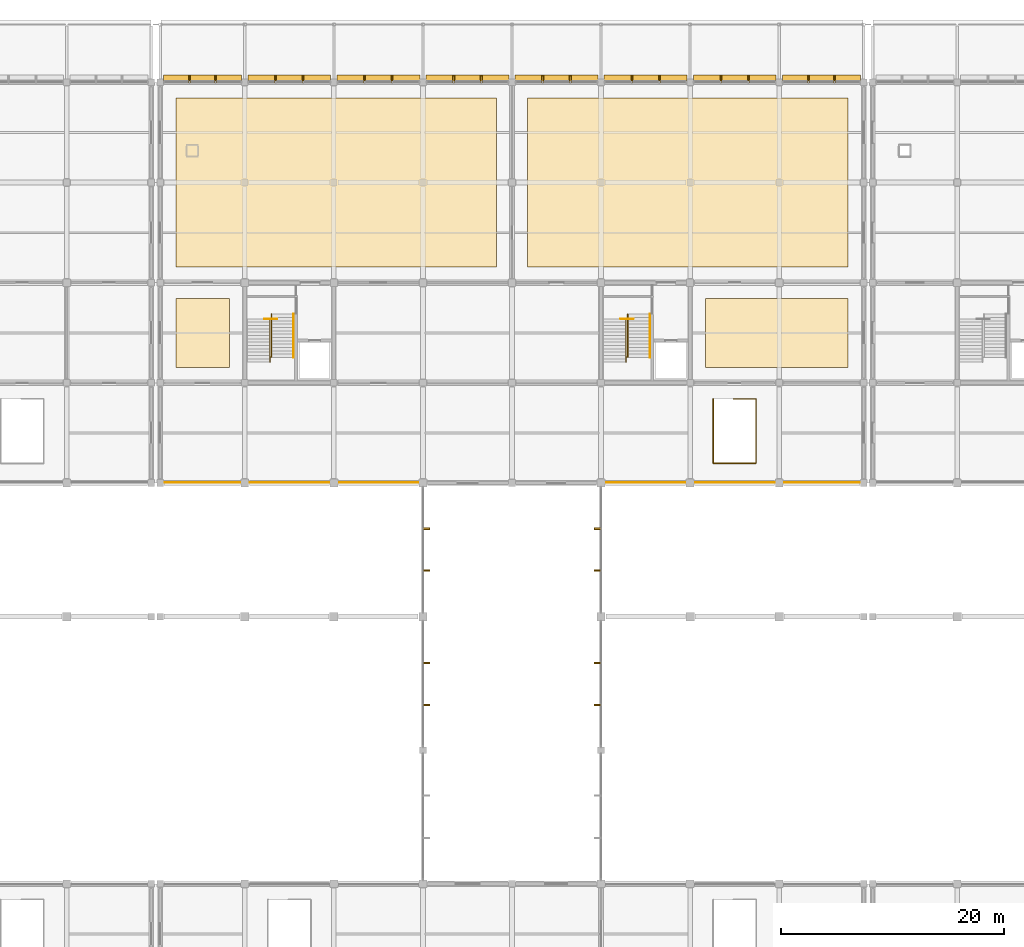
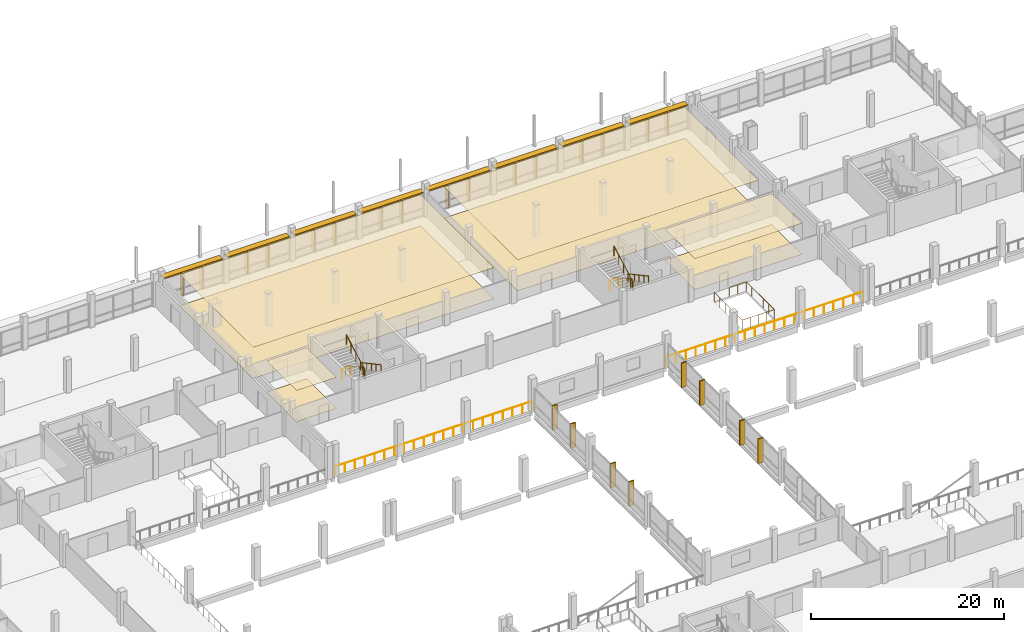
# One storey, part 55 of 57: 32 shading devices, 9 railings, 8 coverings.
"""IFC4 building model written with IfcOpenShell, lengths in metres."""

from ifc_helpers import new_model, si_unit, direction, frame, origin, origin_2d, place, context, subcontext, project, spatial, polyline, rectangle, circle, outline, extrude, material, layer, layer_set, type_object, element, save


model = new_model("IFC4")

# Units and contexts
model_context = context("Model", 3, precision=1e-05, world=origin(), true_north=direction((0.0, 1.0)))
body_context = subcontext(model_context, "Body", "Model", "MODEL_VIEW")
ifc_project = project(units=[si_unit("LENGTHUNIT", "METRE"), si_unit("AREAUNIT", "SQUARE_METRE"), si_unit("VOLUMEUNIT", "CUBIC_METRE"), si_unit("PLANEANGLEUNIT", "RADIAN"), si_unit("MASSUNIT", "GRAM", prefix="KILO"), si_unit("THERMODYNAMICTEMPERATUREUNIT", "KELVIN"), si_unit("POWERUNIT", "WATT")], contexts=[model_context])

# Site, building, storey
site_placement = place(None, origin())
site = spatial("IfcSite", under=ifc_project, at=site_placement, CompositionType="ELEMENT")
building_placement = place(site_placement, origin())
building = spatial("IfcBuilding", under=site, at=building_placement, Name="Kronsvod Quay Wholesale Market", CompositionType="ELEMENT")
storey_placement = place(building_placement, frame((0.0, 0.0, 4.800048828125)))
storey = spatial("IfcBuildingStorey", under=building, at=storey_placement, Name="L01", CompositionType="ELEMENT", Elevation=4.800048828125)

# Coverings
ifc_material_1 = material(Name="Moisture-resistant gypsum board ceiling")
ifc_layer_1 = layer(ifc_material_1, 0.02490234375)
ifc_layer_set_1 = layer_set([ifc_layer_1], Name="Moisture-resistant gypsum board ceiling")
covering_type_1 = type_object("IfcCoveringType", Name="Cov_Ceil03", PredefinedType="CEILING", material=ifc_layer_set_1)
covering_1_placement = place(storey_placement, frame((0.0, 0.0, 3.925048828125)))
element("IfcCovering", 1, at=covering_1_placement, inside=storey, type_object=covering_type_1, Name="CLG-SP-L01-V5-07", PredefinedType="CEILING", context=body_context, shape_type="SweptSolid", body=[
    extrude(outline(polyline([(65.800048828125, 100.39990234375), (70.60009765625, 100.39990234375), (70.60009765625, 106.60009765625), (65.800048828125, 106.60009765625), (65.800048828125, 100.39990234375)])), origin(), (0.0, 0.0, 1.0), 0.02490234375),
])
covering_2_placement = place(storey_placement, frame((0.0, 0.0, 3.925048828125)))
element("IfcCovering", 2, at=covering_2_placement, inside=storey, type_object=covering_type_1, Name="CLG-SP-L01-V5-09", PredefinedType="CEILING", context=body_context, shape_type="SweptSolid", body=[
    extrude(outline(polyline([(113.39990234375, 100.39990234375), (126.199951171875, 100.39990234375), (126.199951171875, 106.60009765625), (113.39990234375, 106.60009765625), (113.39990234375, 100.39990234375)])), origin(), (0.0, 0.0, 1.0), 0.02490234375),
])
covering_3_placement = place(storey_placement, frame((0.0, 0.0, 3.925048828125)))
element("IfcCovering", 3, at=covering_3_placement, inside=storey, type_object=covering_type_1, Name="CLG-SP-L01-V5-13", PredefinedType="CEILING", context=body_context, shape_type="SweptSolid", body=[
    extrude(outline(polyline([(65.800048828125, 109.39990234375), (94.60009765625, 109.39990234375), (94.60009765625, 124.60009765625), (65.800048828125, 124.60009765625), (65.800048828125, 109.39990234375)])), origin(), (0.0, 0.0, 1.0), 0.02490234375),
])
covering_4_placement = place(storey_placement, frame((0.0, 0.0, 3.925048828125)))
element("IfcCovering", 4, at=covering_4_placement, inside=storey, type_object=covering_type_1, Name="CLG-SP-L01-V5-14", PredefinedType="CEILING", context=body_context, shape_type="SweptSolid", body=[
    extrude(outline(polyline([(97.39990234375, 109.39990234375), (126.199951171875, 109.39990234375), (126.199951171875, 124.60009765625), (97.39990234375, 124.60009765625), (97.39990234375, 109.39990234375)])), origin(), (0.0, 0.0, 1.0), 0.02490234375),
])
ifc_material_2 = material(Name="Heavy-duty polyurethane resin market screed")
ifc_layer_2 = layer(ifc_material_2, 0.02001953125)
ifc_layer_set_2 = layer_set([ifc_layer_2], Name="Heavy-duty polyurethane resin market screed")
covering_type_2 = type_object("IfcCoveringType", Name="Cov_Floor01", PredefinedType="FLOORING", material=ifc_layer_set_2)
covering_5_placement = place(storey_placement, origin())
element("IfcCovering", 5, at=covering_5_placement, inside=storey, type_object=covering_type_2, Name="FLR-SP-L01-V5-07", PredefinedType="FLOORING", context=body_context, shape_type="SweptSolid", body=[
    extrude(outline(polyline([(65.800048828125, 100.39990234375), (70.60009765625, 100.39990234375), (70.60009765625, 106.60009765625), (65.800048828125, 106.60009765625), (65.800048828125, 100.39990234375)])), origin(), (0.0, 0.0, 1.0), 0.02001953125),
])
covering_6_placement = place(storey_placement, origin())
element("IfcCovering", 6, at=covering_6_placement, inside=storey, type_object=covering_type_2, Name="FLR-SP-L01-V5-09", PredefinedType="FLOORING", context=body_context, shape_type="SweptSolid", body=[
    extrude(outline(polyline([(113.39990234375, 100.39990234375), (126.199951171875, 100.39990234375), (126.199951171875, 106.60009765625), (113.39990234375, 106.60009765625), (113.39990234375, 100.39990234375)])), origin(), (0.0, 0.0, 1.0), 0.02001953125),
])
covering_7_placement = place(storey_placement, origin())
element("IfcCovering", 7, at=covering_7_placement, inside=storey, type_object=covering_type_2, Name="FLR-SP-L01-V5-13", PredefinedType="FLOORING", context=body_context, shape_type="SweptSolid", body=[
    extrude(outline(polyline([(65.800048828125, 109.39990234375), (94.60009765625, 109.39990234375), (94.60009765625, 124.60009765625), (65.800048828125, 124.60009765625), (65.800048828125, 109.39990234375)])), origin(), (0.0, 0.0, 1.0), 0.02001953125),
])
covering_8_placement = place(storey_placement, origin())
element("IfcCovering", 8, at=covering_8_placement, inside=storey, type_object=covering_type_2, Name="FLR-SP-L01-V5-14", PredefinedType="FLOORING", context=body_context, shape_type="SweptSolid", body=[
    extrude(outline(polyline([(97.39990234375, 109.39990234375), (126.199951171875, 109.39990234375), (126.199951171875, 124.60009765625), (97.39990234375, 124.60009765625), (97.39990234375, 109.39990234375)])), origin(), (0.0, 0.0, 1.0), 0.02001953125),
])

# Railings
ifc_material_3 = material(Name="Stainless steel and laminated glass", Category="steel")
railing_type_1 = type_object("IfcRailingType", Name="Railing_Balustrade1150", PredefinedType="BALUSTRADE", material=ifc_material_3)
railing_1_placement = place(storey_placement, frame((64.449951171875, 90.050048828125, 0.0)))
element("IfcRailing", 9, at=railing_1_placement, inside=storey, type_object=railing_type_1, Name="GRD-L01-V1N2", PredefinedType="BALUSTRADE", context=body_context, shape_type="SweptSolid", body=[
    extrude(circle(Radius=0.02392578125, at=origin_2d()), frame((0.0, 0.0, 1.1259765625), z_axis=(1.0, 0.0, 0.0), x_axis=(0.0, 1.0, 0.0)), (0.0, 0.0, 1.0), 23.550048828125),
    extrude(circle(Radius=0.02099609375, at=origin_2d()), origin(), (0.0, 0.0, 1.0), 1.101806640625),
    extrude(circle(Radius=0.02099609375, at=origin_2d()), frame((1.177490234375, 0.0, 0.0)), (0.0, 0.0, 1.0), 1.101806640625),
    extrude(circle(Radius=0.02099609375, at=origin_2d()), frame((2.35498046875, 0.0, 0.0)), (0.0, 0.0, 1.0), 1.101806640625),
    extrude(circle(Radius=0.02099609375, at=origin_2d()), frame((3.532470703125, 0.0, 0.0)), (0.0, 0.0, 1.0), 1.101806640625),
    extrude(circle(Radius=0.02099609375, at=origin_2d()), frame((4.7099609375, 0.0, 0.0)), (0.0, 0.0, 1.0), 1.101806640625),
    extrude(circle(Radius=0.02099609375, at=origin_2d()), frame((5.887451171875, 0.0, 0.0)), (0.0, 0.0, 1.0), 1.101806640625),
    extrude(circle(Radius=0.02099609375, at=origin_2d()), frame((7.06494140625, 0.0, 0.0)), (0.0, 0.0, 1.0), 1.101806640625),
    extrude(circle(Radius=0.02099609375, at=origin_2d()), frame((8.242431640625, 0.0, 0.0)), (0.0, 0.0, 1.0), 1.101806640625),
    extrude(circle(Radius=0.02099609375, at=origin_2d()), frame((9.419921875, 0.0, 0.0)), (0.0, 0.0, 1.0), 1.101806640625),
    extrude(circle(Radius=0.02099609375, at=origin_2d()), frame((10.597412109375, 0.0, 0.0)), (0.0, 0.0, 1.0), 1.101806640625),
    extrude(circle(Radius=0.02099609375, at=origin_2d()), frame((11.77490234375, 0.0, 0.0)), (0.0, 0.0, 1.0), 1.101806640625),
    extrude(circle(Radius=0.02099609375, at=origin_2d()), frame((12.95263671875, 0.0, 0.0)), (0.0, 0.0, 1.0), 1.101806640625),
    extrude(circle(Radius=0.02099609375, at=origin_2d()), frame((14.130126953125, 0.0, 0.0)), (0.0, 0.0, 1.0), 1.101806640625),
    extrude(circle(Radius=0.02099609375, at=origin_2d()), frame((15.3076171875, 0.0, 0.0)), (0.0, 0.0, 1.0), 1.101806640625),
    extrude(circle(Radius=0.02099609375, at=origin_2d()), frame((16.485107421875, 0.0, 0.0)), (0.0, 0.0, 1.0), 1.101806640625),
    extrude(circle(Radius=0.02099609375, at=origin_2d()), frame((17.66259765625, 0.0, 0.0)), (0.0, 0.0, 1.0), 1.101806640625),
    extrude(circle(Radius=0.02099609375, at=origin_2d()), frame((18.840087890625, 0.0, 0.0)), (0.0, 0.0, 1.0), 1.101806640625),
    extrude(circle(Radius=0.02099609375, at=origin_2d()), frame((20.017578125, 0.0, 0.0)), (0.0, 0.0, 1.0), 1.101806640625),
    extrude(circle(Radius=0.02099609375, at=origin_2d()), frame((21.195068359375, 0.0, 0.0)), (0.0, 0.0, 1.0), 1.101806640625),
    extrude(circle(Radius=0.02099609375, at=origin_2d()), frame((22.37255859375, 0.0, 0.0)), (0.0, 0.0, 1.0), 1.101806640625),
    extrude(circle(Radius=0.02099609375, at=origin_2d()), frame((23.550048828125, 0.0, 0.0)), (0.0, 0.0, 1.0), 1.101806640625),
])
railing_2_placement = place(storey_placement, frame((104.0, 90.050048828125, 0.0)))
element("IfcRailing", 10, at=railing_2_placement, inside=storey, type_object=railing_type_1, Name="GRD-L01-V2N", PredefinedType="BALUSTRADE", context=body_context, shape_type="SweptSolid", body=[
    extrude(circle(Radius=0.02392578125, at=origin_2d()), frame((0.0, 0.0, 1.1259765625), z_axis=(1.0, 0.0, 0.0), x_axis=(0.0, 1.0, 0.0)), (0.0, 0.0, 1.0), 23.550048828125),
    extrude(circle(Radius=0.02099609375, at=origin_2d()), origin(), (0.0, 0.0, 1.0), 1.101806640625),
    extrude(circle(Radius=0.02099609375, at=origin_2d()), frame((1.177490234375, 0.0, 0.0)), (0.0, 0.0, 1.0), 1.101806640625),
    extrude(circle(Radius=0.02099609375, at=origin_2d()), frame((2.35498046875, 0.0, 0.0)), (0.0, 0.0, 1.0), 1.101806640625),
    extrude(circle(Radius=0.02099609375, at=origin_2d()), frame((3.532470703125, 0.0, 0.0)), (0.0, 0.0, 1.0), 1.101806640625),
    extrude(circle(Radius=0.02099609375, at=origin_2d()), frame((4.7099609375, 0.0, 0.0)), (0.0, 0.0, 1.0), 1.101806640625),
    extrude(circle(Radius=0.02099609375, at=origin_2d()), frame((5.887451171875, 0.0, 0.0)), (0.0, 0.0, 1.0), 1.101806640625),
    extrude(circle(Radius=0.02099609375, at=origin_2d()), frame((7.06494140625, 0.0, 0.0)), (0.0, 0.0, 1.0), 1.101806640625),
    extrude(circle(Radius=0.02099609375, at=origin_2d()), frame((8.242431640625, 0.0, 0.0)), (0.0, 0.0, 1.0), 1.101806640625),
    extrude(circle(Radius=0.02099609375, at=origin_2d()), frame((9.419921875, 0.0, 0.0)), (0.0, 0.0, 1.0), 1.101806640625),
    extrude(circle(Radius=0.02099609375, at=origin_2d()), frame((10.597412109375, 0.0, 0.0)), (0.0, 0.0, 1.0), 1.101806640625),
    extrude(circle(Radius=0.02099609375, at=origin_2d()), frame((11.77490234375, 0.0, 0.0)), (0.0, 0.0, 1.0), 1.101806640625),
    extrude(circle(Radius=0.02099609375, at=origin_2d()), frame((12.95263671875, 0.0, 0.0)), (0.0, 0.0, 1.0), 1.101806640625),
    extrude(circle(Radius=0.02099609375, at=origin_2d()), frame((14.130126953125, 0.0, 0.0)), (0.0, 0.0, 1.0), 1.101806640625),
    extrude(circle(Radius=0.02099609375, at=origin_2d()), frame((15.3076171875, 0.0, 0.0)), (0.0, 0.0, 1.0), 1.101806640625),
    extrude(circle(Radius=0.02099609375, at=origin_2d()), frame((16.485107421875, 0.0, 0.0)), (0.0, 0.0, 1.0), 1.101806640625),
    extrude(circle(Radius=0.02099609375, at=origin_2d()), frame((17.66259765625, 0.0, 0.0)), (0.0, 0.0, 1.0), 1.101806640625),
    extrude(circle(Radius=0.02099609375, at=origin_2d()), frame((18.840087890625, 0.0, 0.0)), (0.0, 0.0, 1.0), 1.101806640625),
    extrude(circle(Radius=0.02099609375, at=origin_2d()), frame((20.017578125, 0.0, 0.0)), (0.0, 0.0, 1.0), 1.101806640625),
    extrude(circle(Radius=0.02099609375, at=origin_2d()), frame((21.195068359375, 0.0, 0.0)), (0.0, 0.0, 1.0), 1.101806640625),
    extrude(circle(Radius=0.02099609375, at=origin_2d()), frame((22.37255859375, 0.0, 0.0)), (0.0, 0.0, 1.0), 1.101806640625),
    extrude(circle(Radius=0.02099609375, at=origin_2d()), frame((23.550048828125, 0.0, 0.0)), (0.0, 0.0, 1.0), 1.101806640625),
])
ifc_material_4 = material(Name="Stainless steel", Category="steel")
railing_type_2 = type_object("IfcRailingType", Name="Railing_Guard1200", PredefinedType="GUARDRAIL", material=ifc_material_4)
railing_3_placement = place(storey_placement, frame((73.75, 104.760009765625, 0.0)))
element("IfcRailing", 11, at=railing_3_placement, inside=storey, type_object=railing_type_2, Name="ST08-L00-TOP-GRD", PredefinedType="GUARDRAIL", context=body_context, shape_type="SweptSolid", body=[
    extrude(circle(Radius=0.02392578125, at=origin_2d()), frame((0.0, 0.0, 1.17578125), z_axis=(1.0, 0.0, 0.0), x_axis=(0.0, 1.0, 0.0)), (0.0, 0.0, 1.0), 1.159912109375),
    extrude(circle(Radius=0.02099609375, at=origin_2d()), origin(), (0.0, 0.0, 1.0), 1.15185546875),
    extrude(circle(Radius=0.02099609375, at=origin_2d()), frame((1.159912109375, 0.0, 0.0)), (0.0, 0.0, 1.0), 1.15185546875),
])
railing_4_placement = place(storey_placement, frame((74.39990234375, 105.179931640625, 0.0)))
element("IfcRailing", 12, at=railing_4_placement, inside=storey, type_object=railing_type_2, Name="ST08-L01-SLOT-GRD", PredefinedType="GUARDRAIL", context=body_context, shape_type="SweptSolid", body=[
    extrude(circle(Radius=0.02392578125, at=origin_2d()), frame((0.0, 0.0, 1.17578125), z_axis=(0.0, -0.877901955688, 0.478840428744), x_axis=(1.0, 0.0, 0.0)), (0.0, 0.0, 1.0), 4.38525390625),
    extrude(circle(Radius=0.02392578125, at=origin_2d()), frame((0.0, -3.849853515625, 3.27587890625), z_axis=(-1.0, 0.0, 0.0), x_axis=(0.0, -1.0, 0.0)), (0.0, 0.0, 1.0), 0.139892578125),
    extrude(circle(Radius=0.02392578125, at=origin_2d()), frame((-0.139892578125, -3.849853515625, 3.27587890625), z_axis=(0.0, -1.0, 0.0), x_axis=(1.0, 0.0, 0.0)), (0.0, 0.0, 1.0), 0.469970703125),
    extrude(circle(Radius=0.02392578125, at=origin_2d()), frame((-0.139892578125, -4.31982421875, 3.27587890625), z_axis=(0.0, 0.880456940745, 0.474126117709), x_axis=(-1.0, 0.0, 0.0)), (0.0, 0.0, 1.0), 4.429443359375),
    extrude(circle(Radius=0.02099609375, at=origin_2d()), origin(), (0.0, 0.0, 1.0), 1.15185546875),
    extrude(circle(Radius=0.02099609375, at=origin_2d()), frame((0.0, -0.96240234375, 0.52490234375)), (0.0, 0.0, 1.0), 1.15185546875),
    extrude(circle(Radius=0.02099609375, at=origin_2d()), frame((0.0, -1.9248046875, 1.0498046875)), (0.0, 0.0, 1.0), 1.15185546875),
    extrude(circle(Radius=0.02099609375, at=origin_2d()), frame((0.0, -2.887451171875, 1.574951171875)), (0.0, 0.0, 1.0), 1.15185546875),
    extrude(circle(Radius=0.02099609375, at=origin_2d()), frame((0.0, -3.849853515625, 2.099853515625)), (0.0, 0.0, 1.0), 1.15185546875),
    extrude(circle(Radius=0.02099609375, at=origin_2d()), frame((-0.139892578125, -3.849853515625, 2.099853515625)), (0.0, 0.0, 1.0), 1.15185546875),
    extrude(circle(Radius=0.02099609375, at=origin_2d()), frame((-0.139892578125, -4.31982421875, 2.099853515625)), (0.0, 0.0, 1.0), 1.15185546875),
    extrude(circle(Radius=0.02099609375, at=origin_2d()), frame((-0.139892578125, -3.3447265625, 2.625)), (0.0, 0.0, 1.0), 1.15185546875),
    extrude(circle(Radius=0.02099609375, at=origin_2d()), frame((-0.139892578125, -2.369873046875, 3.14990234375)), (0.0, 0.0, 1.0), 1.15185546875),
    extrude(circle(Radius=0.02099609375, at=origin_2d()), frame((-0.139892578125, -1.39501953125, 3.6748046875)), (0.0, 0.0, 1.0), 1.15185546875),
    extrude(circle(Radius=0.02099609375, at=origin_2d()), frame((-0.139892578125, -0.419921875, 4.199951171875)), (0.0, 0.0, 1.0), 1.15185546875),
])
railing_5_placement = place(storey_placement, frame((105.75, 104.760009765625, 0.0)))
element("IfcRailing", 13, at=railing_5_placement, inside=storey, type_object=railing_type_2, Name="ST09-L00-TOP-GRD", PredefinedType="GUARDRAIL", context=body_context, shape_type="SweptSolid", body=[
    extrude(circle(Radius=0.02392578125, at=origin_2d()), frame((0.0, 0.0, 1.17578125), z_axis=(1.0, 0.0, 0.0), x_axis=(0.0, 1.0, 0.0)), (0.0, 0.0, 1.0), 1.159912109375),
    extrude(circle(Radius=0.02099609375, at=origin_2d()), origin(), (0.0, 0.0, 1.0), 1.15185546875),
    extrude(circle(Radius=0.02099609375, at=origin_2d()), frame((1.159912109375, 0.0, 0.0)), (0.0, 0.0, 1.0), 1.15185546875),
])
railing_6_placement = place(storey_placement, frame((106.39990234375, 105.179931640625, 0.0)))
element("IfcRailing", 14, at=railing_6_placement, inside=storey, type_object=railing_type_2, Name="ST09-L01-SLOT-GRD", PredefinedType="GUARDRAIL", context=body_context, shape_type="SweptSolid", body=[
    extrude(circle(Radius=0.02392578125, at=origin_2d()), frame((0.0, 0.0, 1.17578125), z_axis=(0.0, -0.877901955688, 0.478840428744), x_axis=(1.0, 0.0, 0.0)), (0.0, 0.0, 1.0), 4.38525390625),
    extrude(circle(Radius=0.02392578125, at=origin_2d()), frame((0.0, -3.849853515625, 3.27587890625), z_axis=(-1.0, 0.0, 0.0), x_axis=(0.0, -1.0, 0.0)), (0.0, 0.0, 1.0), 0.139892578125),
    extrude(circle(Radius=0.02392578125, at=origin_2d()), frame((-0.139892578125, -3.849853515625, 3.27587890625), z_axis=(0.0, -1.0, 0.0), x_axis=(1.0, 0.0, 0.0)), (0.0, 0.0, 1.0), 0.469970703125),
    extrude(circle(Radius=0.02392578125, at=origin_2d()), frame((-0.139892578125, -4.31982421875, 3.27587890625), z_axis=(0.0, 0.880456940745, 0.474126117709), x_axis=(-1.0, 0.0, 0.0)), (0.0, 0.0, 1.0), 4.429443359375),
    extrude(circle(Radius=0.02099609375, at=origin_2d()), origin(), (0.0, 0.0, 1.0), 1.15185546875),
    extrude(circle(Radius=0.02099609375, at=origin_2d()), frame((0.0, -0.96240234375, 0.52490234375)), (0.0, 0.0, 1.0), 1.15185546875),
    extrude(circle(Radius=0.02099609375, at=origin_2d()), frame((0.0, -1.9248046875, 1.0498046875)), (0.0, 0.0, 1.0), 1.15185546875),
    extrude(circle(Radius=0.02099609375, at=origin_2d()), frame((0.0, -2.887451171875, 1.574951171875)), (0.0, 0.0, 1.0), 1.15185546875),
    extrude(circle(Radius=0.02099609375, at=origin_2d()), frame((0.0, -3.849853515625, 2.099853515625)), (0.0, 0.0, 1.0), 1.15185546875),
    extrude(circle(Radius=0.02099609375, at=origin_2d()), frame((-0.139892578125, -3.849853515625, 2.099853515625)), (0.0, 0.0, 1.0), 1.15185546875),
    extrude(circle(Radius=0.02099609375, at=origin_2d()), frame((-0.139892578125, -4.31982421875, 2.099853515625)), (0.0, 0.0, 1.0), 1.15185546875),
    extrude(circle(Radius=0.02099609375, at=origin_2d()), frame((-0.139892578125, -3.3447265625, 2.625)), (0.0, 0.0, 1.0), 1.15185546875),
    extrude(circle(Radius=0.02099609375, at=origin_2d()), frame((-0.139892578125, -2.369873046875, 3.14990234375)), (0.0, 0.0, 1.0), 1.15185546875),
    extrude(circle(Radius=0.02099609375, at=origin_2d()), frame((-0.139892578125, -1.39501953125, 3.6748046875)), (0.0, 0.0, 1.0), 1.15185546875),
    extrude(circle(Radius=0.02099609375, at=origin_2d()), frame((-0.139892578125, -0.419921875, 4.199951171875)), (0.0, 0.0, 1.0), 1.15185546875),
])
railing_7_placement = place(storey_placement, frame((115.89990234375, 97.570068359375, 0.0)))
element("IfcRailing", 15, at=railing_7_placement, inside=storey, type_object=railing_type_2, Name="ST-CON-E-L01-GRD", PredefinedType="GUARDRAIL", context=body_context, shape_type="SweptSolid", body=[
    extrude(circle(Radius=0.02392578125, at=origin_2d()), frame((0.0, 0.0, 1.17578125), z_axis=(1.0, 0.0, 0.0), x_axis=(0.0, 1.0, 0.0)), (0.0, 0.0, 1.0), 2.02001953125),
    extrude(circle(Radius=0.02392578125, at=origin_2d()), frame((2.02001953125, 0.0, 1.17578125), z_axis=(0.0, -1.0, 0.0), x_axis=(1.0, 0.0, 0.0)), (0.0, 0.0, 1.0), 5.7900390625),
    extrude(circle(Radius=0.02392578125, at=origin_2d()), frame((2.02001953125, -5.7900390625, 1.17578125), z_axis=(-1.0, 0.0, 0.0), x_axis=(0.0, -1.0, 0.0)), (0.0, 0.0, 1.0), 3.83984375),
    extrude(circle(Radius=0.02392578125, at=origin_2d()), frame((-1.81982421875, -5.7900390625, 1.17578125), z_axis=(0.0, 1.0, 0.0), x_axis=(-1.0, 0.0, 0.0)), (0.0, 0.0, 1.0), 5.7900390625),
    extrude(circle(Radius=0.02099609375, at=origin_2d()), origin(), (0.0, 0.0, 1.0), 1.15185546875),
    extrude(circle(Radius=0.02099609375, at=origin_2d()), frame((1.010009765625, 0.0, 0.0)), (0.0, 0.0, 1.0), 1.15185546875),
    extrude(circle(Radius=0.02099609375, at=origin_2d()), frame((2.02001953125, 0.0, 0.0)), (0.0, 0.0, 1.0), 1.15185546875),
    extrude(circle(Radius=0.02099609375, at=origin_2d()), frame((2.02001953125, -1.157958984375, 0.0)), (0.0, 0.0, 1.0), 1.15185546875),
    extrude(circle(Radius=0.02099609375, at=origin_2d()), frame((2.02001953125, -2.31591796875, 0.0)), (0.0, 0.0, 1.0), 1.15185546875),
    extrude(circle(Radius=0.02099609375, at=origin_2d()), frame((2.02001953125, -3.47412109375, 0.0)), (0.0, 0.0, 1.0), 1.15185546875),
    extrude(circle(Radius=0.02099609375, at=origin_2d()), frame((2.02001953125, -4.632080078125, 0.0)), (0.0, 0.0, 1.0), 1.15185546875),
    extrude(circle(Radius=0.02099609375, at=origin_2d()), frame((2.02001953125, -5.7900390625, 0.0)), (0.0, 0.0, 1.0), 1.15185546875),
    extrude(circle(Radius=0.02099609375, at=origin_2d()), frame((1.06005859375, -5.7900390625, 0.0)), (0.0, 0.0, 1.0), 1.15185546875),
    extrude(circle(Radius=0.02099609375, at=origin_2d()), frame((0.10009765625, -5.7900390625, 0.0)), (0.0, 0.0, 1.0), 1.15185546875),
    extrude(circle(Radius=0.02099609375, at=origin_2d()), frame((-0.85986328125, -5.7900390625, 0.0)), (0.0, 0.0, 1.0), 1.15185546875),
    extrude(circle(Radius=0.02099609375, at=origin_2d()), frame((-1.81982421875, -5.7900390625, 0.0)), (0.0, 0.0, 1.0), 1.15185546875),
    extrude(circle(Radius=0.02099609375, at=origin_2d()), frame((-1.81982421875, -4.632080078125, 0.0)), (0.0, 0.0, 1.0), 1.15185546875),
    extrude(circle(Radius=0.02099609375, at=origin_2d()), frame((-1.81982421875, -3.47412109375, 0.0)), (0.0, 0.0, 1.0), 1.15185546875),
    extrude(circle(Radius=0.02099609375, at=origin_2d()), frame((-1.81982421875, -2.31591796875, 0.0)), (0.0, 0.0, 1.0), 1.15185546875),
    extrude(circle(Radius=0.02099609375, at=origin_2d()), frame((-1.81982421875, -1.157958984375, 0.0)), (0.0, 0.0, 1.0), 1.15185546875),
    extrude(circle(Radius=0.02099609375, at=origin_2d()), frame((-1.81982421875, 0.0, 0.0)), (0.0, 0.0, 1.0), 1.15185546875),
])
ifc_material_5 = material(Name="Stainless steel", Category="steel")
railing_type_3 = type_object("IfcRailingType", Name="Railing_Handrail900", PredefinedType="HANDRAIL", material=ifc_material_5)
for number, where, name in (
    (16, (76.3798828125, 105.179931640625, 0.0), "ST08-L01-HDR"),
    (17, (108.3798828125, 105.179931640625, 0.0), "ST09-L01-HDR"),
):
    element("IfcRailing", number, at=place(storey_placement, frame(where)), inside=storey, type_object=railing_type_3, Name=name, PredefinedType="HANDRAIL", context=body_context, shape_type="SweptSolid", body=[
        extrude(circle(Radius=0.02392578125, at=origin_2d()), frame((0.0, 0.0, 0.8759765625), z_axis=(0.0, -0.88047994924, 0.474083388219), x_axis=(1.0, 0.0, 0.0)), (0.0, 0.0, 1.0), 4.42919921875),
        extrude(circle(Radius=0.02099609375, at=origin_2d()), origin(), (0.0, 0.0, 1.0), 0.851806640625),
        extrude(circle(Radius=0.02099609375, at=origin_2d()), frame((0.0, -0.97509765625, 0.52490234375)), (0.0, 0.0, 1.0), 0.851806640625),
        extrude(circle(Radius=0.02099609375, at=origin_2d()), frame((0.0, -1.949951171875, 1.0498046875)), (0.0, 0.0, 1.0), 0.851806640625),
        extrude(circle(Radius=0.02099609375, at=origin_2d()), frame((0.0, -2.9248046875, 1.574951171875)), (0.0, 0.0, 1.0), 0.851806640625),
        extrude(circle(Radius=0.02099609375, at=origin_2d()), frame((0.0, -3.89990234375, 2.099853515625)), (0.0, 0.0, 1.0), 0.851806640625),
    ])

# Shading devices
ifc_material_6 = material(Name="Anodised aluminium", Category="aluminium")
shading_device_type_1 = type_object("IfcShadingDeviceType", Name="Shade_SolarFin", PredefinedType="AWNING", material=ifc_material_6)
for number, where, z_axis, x_axis, name in (
    (18, (67.03173828125, 126.280029296875, -0.02001953125), (0.0, 0.0, 1.0), (1.0, 0.0, 0.0), "SHDF-CWGX-L01-644-1260-670"),
    (19, (69.368408203125, 126.280029296875, -0.02001953125), (0.0, 0.0, 1.0), (1.0, 0.0, 0.0), "SHDF-CWGX-L01-644-1260-694"),
    (20, (74.764892578125, 126.280029296875, -0.02001953125), (0.0, 0.0, 1.0), (1.0, 0.0, 0.0), "SHDF-CWGX-L01-720-1260-748"),
    (21, (77.235107421875, 126.280029296875, -0.02001953125), (0.0, 0.0, 1.0), (1.0, 0.0, 0.0), "SHDF-CWGX-L01-720-1260-772"),
    (22, (82.764892578125, 126.280029296875, -0.02001953125), (0.0, 0.0, 1.0), (1.0, 0.0, 0.0), "SHDF-CWGX-L01-800-1260-828"),
    (23, (85.235107421875, 126.280029296875, -0.02001953125), (0.0, 0.0, 1.0), (1.0, 0.0, 0.0), "SHDF-CWGX-L01-800-1260-852"),
    (24, (90.764892578125, 126.280029296875, -0.02001953125), (0.0, 0.0, 1.0), (1.0, 0.0, 0.0), "SHDF-CWGX-L01-880-1260-908"),
    (25, (93.235107421875, 126.280029296875, -0.02001953125), (0.0, 0.0, 1.0), (1.0, 0.0, 0.0), "SHDF-CWGX-L01-880-1260-932"),
    (26, (98.764892578125, 126.280029296875, -0.02001953125), (0.0, 0.0, 1.0), (1.0, 0.0, 0.0), "SHDF-CWGX-L01-960-1260-988"),
    (27, (101.235107421875, 126.280029296875, -0.02001953125), (0.0, 0.0, 1.0), (1.0, 0.0, 0.0), "SHDF-CWGX-L01-960-1260-1012"),
    (28, (106.764892578125, 126.280029296875, -0.02001953125), (0.0, 0.0, 1.0), (1.0, 0.0, 0.0), "SHDF-CWGX-L01-1040-1260-1068"),
    (29, (109.235107421875, 126.280029296875, -0.02001953125), (0.0, 0.0, 1.0), (1.0, 0.0, 0.0), "SHDF-CWGX-L01-1040-1260-1092"),
    (30, (114.764892578125, 126.280029296875, -0.02001953125), (0.0, 0.0, 1.0), (1.0, 0.0, 0.0), "SHDF-CWGX-L01-1120-1260-1148"),
    (31, (117.235107421875, 126.280029296875, -0.02001953125), (0.0, 0.0, 1.0), (1.0, 0.0, 0.0), "SHDF-CWGX-L01-1120-1260-1172"),
    (32, (122.631591796875, 126.280029296875, -0.02001953125), (0.0, 0.0, 1.0), (1.0, 0.0, 0.0), "SHDF-CWGX-L01-1200-1260-1226"),
    (33, (124.96826171875, 126.280029296875, -0.02001953125), (0.0, 0.0, 1.0), (1.0, 0.0, 0.0), "SHDF-CWGX-L01-1200-1260-1250"),
):
    element("IfcShadingDevice", number, at=place(storey_placement, frame(where, z_axis=z_axis, x_axis=x_axis)), inside=storey, type_object=shading_device_type_1, Name=name, PredefinedType="AWNING", context=body_context, shape_type="SweptSolid", body=[
        extrude(rectangle(XDim=0.139892578125, YDim=0.6201171875, at=origin_2d()), origin(), (0.0, 0.0, 1.0), 3.090087890625),
    ])
for number, where, z_axis, x_axis, name in (
    (34, (88.280029296875, 70.0732421875, -0.02001953125), (0.0, 0.0, 1.0), (1.0, 0.0, 0.0), "SHDF-CWGY-L01-880-660-701"),
    (35, (88.280029296875, 73.851806640625, -0.02001953125), (0.0, 0.0, 1.0), (1.0, 0.0, 0.0), "SHDF-CWGY-L01-880-660-739"),
    (36, (88.280029296875, 82.131591796875, -0.02001953125), (0.0, 0.0, 1.0), (1.0, 0.0, 0.0), "SHDF-CWGY-L01-880-780-821"),
    (37, (88.280029296875, 85.893310546875, -0.02001953125), (0.0, 0.0, 1.0), (1.0, 0.0, 0.0), "SHDF-CWGY-L01-880-780-859"),
    (38, (103.719970703125, 70.0732421875, -0.02001953125), (0.0, 0.0, 1.0), (1.0, 0.0, 0.0), "SHDF-CWGY-L01-1040-660-701"),
    (39, (103.719970703125, 73.851806640625, -0.02001953125), (0.0, 0.0, 1.0), (1.0, 0.0, 0.0), "SHDF-CWGY-L01-1040-660-739"),
    (40, (103.719970703125, 82.131591796875, -0.02001953125), (0.0, 0.0, 1.0), (1.0, 0.0, 0.0), "SHDF-CWGY-L01-1040-780-821"),
    (41, (103.719970703125, 85.893310546875, -0.02001953125), (0.0, 0.0, 1.0), (1.0, 0.0, 0.0), "SHDF-CWGY-L01-1040-780-859"),
):
    element("IfcShadingDevice", number, at=place(storey_placement, frame(where, z_axis=z_axis, x_axis=x_axis)), inside=storey, type_object=shading_device_type_1, Name=name, PredefinedType="AWNING", context=body_context, shape_type="SweptSolid", body=[
        extrude(rectangle(XDim=0.6201171875, YDim=0.139892578125, at=origin_2d()), origin(), (0.0, 0.0, 1.0), 3.090087890625),
    ])
ifc_material_7 = material(Name="Anodised aluminium sunshade hood", Category="aluminium")
shading_device_type_2 = type_object("IfcShadingDeviceType", Name="Shade_SunHood", PredefinedType="AWNING", material=ifc_material_7)
shading_device_1_placement = place(storey_placement, frame((68.199951171875, 126.280029296875, 2.93017578125), z_axis=(0.0, 0.0, 1.0), x_axis=(1.0, 0.0, 0.0)))
element("IfcShadingDevice", 42, at=shading_device_1_placement, inside=storey, type_object=shading_device_type_2, Name="SHDH-CWGX-L01-644-1260", PredefinedType="AWNING", context=body_context, shape_type="SweptSolid", body=[
    extrude(rectangle(XDim=7.030029296875, YDim=0.719970703125, at=origin_2d()), origin(), (0.0, 0.0, 1.0), 0.159912109375),
])
for number, where, z_axis, x_axis, name in (
    (43, (76.0, 126.280029296875, 2.93017578125), (0.0, 0.0, 1.0), (1.0, 0.0, 0.0), "SHDH-CWGX-L01-720-1260"),
    (44, (84.0, 126.280029296875, 2.93017578125), (0.0, 0.0, 1.0), (1.0, 0.0, 0.0), "SHDH-CWGX-L01-800-1260"),
    (45, (92.0, 126.280029296875, 2.93017578125), (0.0, 0.0, 1.0), (1.0, 0.0, 0.0), "SHDH-CWGX-L01-880-1260"),
    (46, (100.0, 126.280029296875, 2.93017578125), (0.0, 0.0, 1.0), (1.0, 0.0, 0.0), "SHDH-CWGX-L01-960-1260"),
    (47, (108.0, 126.280029296875, 2.93017578125), (0.0, 0.0, 1.0), (1.0, 0.0, 0.0), "SHDH-CWGX-L01-1040-1260"),
    (48, (116.0, 126.280029296875, 2.93017578125), (0.0, 0.0, 1.0), (1.0, 0.0, 0.0), "SHDH-CWGX-L01-1120-1260"),
):
    element("IfcShadingDevice", number, at=place(storey_placement, frame(where, z_axis=z_axis, x_axis=x_axis)), inside=storey, type_object=shading_device_type_2, Name=name, PredefinedType="AWNING", context=body_context, shape_type="SweptSolid", body=[
        extrude(rectangle(XDim=7.429931640625, YDim=0.719970703125, at=origin_2d()), origin(), (0.0, 0.0, 1.0), 0.159912109375),
    ])
shading_device_2_placement = place(storey_placement, frame((123.800048828125, 126.280029296875, 2.93017578125), z_axis=(0.0, 0.0, 1.0), x_axis=(1.0, 0.0, 0.0)))
element("IfcShadingDevice", 49, at=shading_device_2_placement, inside=storey, type_object=shading_device_type_2, Name="SHDH-CWGX-L01-1200-1260", PredefinedType="AWNING", context=body_context, shape_type="SweptSolid", body=[
    extrude(rectangle(XDim=7.030029296875, YDim=0.719970703125, at=origin_2d()), origin(), (0.0, 0.0, 1.0), 0.159912109375),
])

save(model, "model.ifc")
